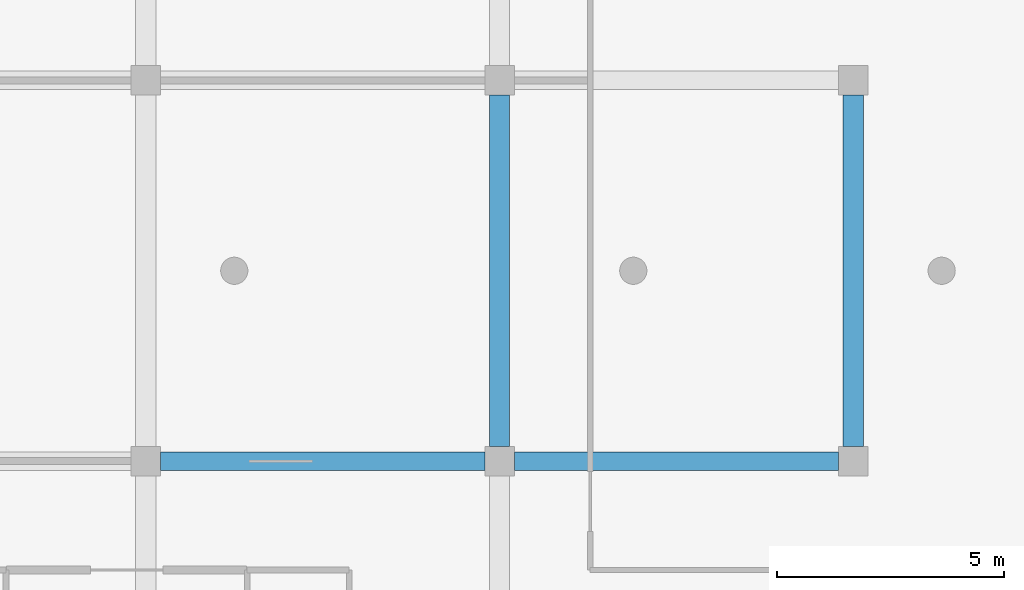
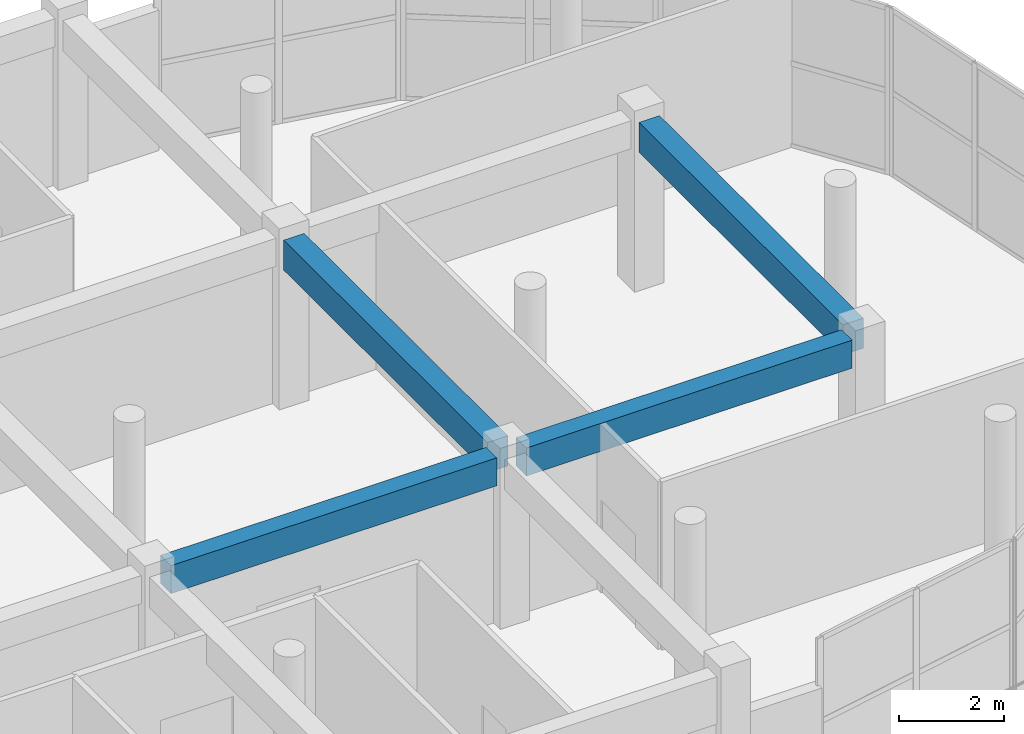
# One storey, part 31 of 63: 4 beams.
"""IFC4 building model written with IfcOpenShell, lengths in metres."""

from ifc_helpers import new_model, si_unit, direction, frame, origin, origin_2d, place, context, subcontext, project, spatial, rectangle, extrude, material, material_profile, profile_set, type_object, element, save


model = new_model("IFC4")

# Units and contexts
model_context = context("Model", 3, precision=1e-05, world=origin(), true_north=direction((0.0, 1.0)))
body_context = subcontext(model_context, "Body", "Model", "MODEL_VIEW")
ifc_project = project(units=[si_unit("LENGTHUNIT", "METRE"), si_unit("AREAUNIT", "SQUARE_METRE"), si_unit("VOLUMEUNIT", "CUBIC_METRE"), si_unit("PLANEANGLEUNIT", "RADIAN"), si_unit("MASSUNIT", "GRAM", prefix="KILO")], contexts=[model_context])

# Site, building, storey
site_placement = place(None, origin())
site = spatial("IfcSite", under=ifc_project, at=site_placement, CompositionType="ELEMENT")
building_placement = place(site_placement, origin())
building = spatial("IfcBuilding", under=site, at=building_placement, Name="Zizhar Promenade General Hospital", CompositionType="ELEMENT")
storey_placement = place(building_placement, frame((0.0, 0.0, 18.0)))
storey = spatial("IfcBuildingStorey", under=building, at=storey_placement, Name="L04", CompositionType="ELEMENT", Elevation=18.0)

# Beams
ifc_material_1 = material(Name="Concrete C35/45", Category="concrete")
ifc_material_profile_1 = material_profile(ifc_material_1, rectangle(XDim=0.39990234375, YDim=0.64990234375, at=origin_2d()))
ifc_profile_set_1 = profile_set([ifc_material_profile_1], Name="Concrete C35/45")
beam_type_1 = type_object("IfcBeamType", Name="BM-RC-400x650", PredefinedType="BEAM", material=ifc_profile_set_1)
for number, where, z_axis, x_axis, name in (
    (1, (109.52490234375, 8.39990234375, 3.5849609375), (1.0, 0.0, 0.0), (0.0, 1.0, 0.0), "Grid Beam X L04 (14-1)"),
    (2, (117.324951171875, 8.39990234375, 3.5849609375), (1.0, 0.0, 0.0), (0.0, 1.0, 0.0), "Grid Beam X L04 (15-1)"),
):
    element("IfcBeam", number, at=place(storey_placement, frame(where, z_axis=z_axis, x_axis=x_axis)), inside=storey, type_object=beam_type_1, Name=name, PredefinedType="BEAM", context=body_context, shape_type="SweptSolid", body=[
        extrude(rectangle(XDim=0.39990234375, YDim=0.64990234375, at=origin_2d()), origin(), (0.0, 0.0, 1.0), 7.150146484375),
    ])
ifc_material_2 = material(Name="Concrete C35/45", Category="concrete")
ifc_material_profile_2 = material_profile(ifc_material_2, rectangle(XDim=0.449951171875, YDim=0.699951171875, at=origin_2d()))
ifc_profile_set_2 = profile_set([ifc_material_profile_2], Name="Concrete C35/45")
beam_type_2 = type_object("IfcBeamType", Name="BM-RC-450x700", PredefinedType="BEAM", material=ifc_profile_set_2)
for number, where, z_axis, x_axis, name in (
    (3, (117.0, 8.72509765625, 3.56005859375), (0.0, 1.0, 0.0), (-1.0, 0.0, 0.0), "Grid Beam Y L04 (15-1)"),
    (4, (124.800048828125, 8.72509765625, 3.56005859375), (0.0, 1.0, 0.0), (-1.0, 0.0, 0.0), "Grid Beam Y L04 (16-1)"),
):
    element("IfcBeam", number, at=place(storey_placement, frame(where, z_axis=z_axis, x_axis=x_axis)), inside=storey, type_object=beam_type_2, Name=name, PredefinedType="BEAM", context=body_context, shape_type="SweptSolid", body=[
        extrude(rectangle(XDim=0.449951171875, YDim=0.699951171875, at=origin_2d()), origin(), (0.0, 0.0, 1.0), 7.75),
    ])

save(model, "model.ifc")
